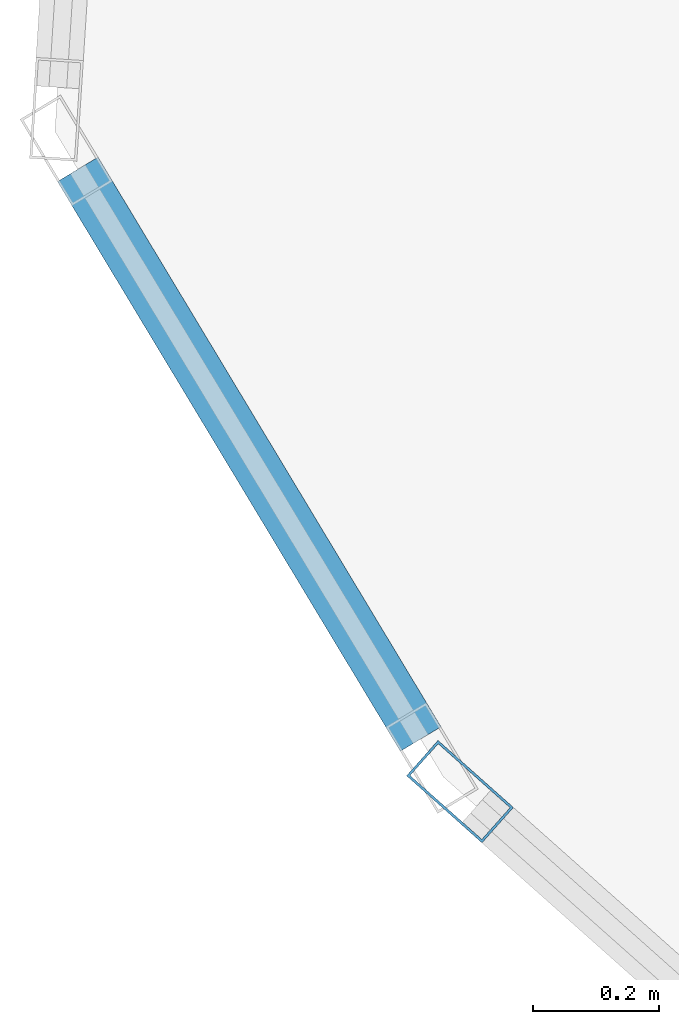
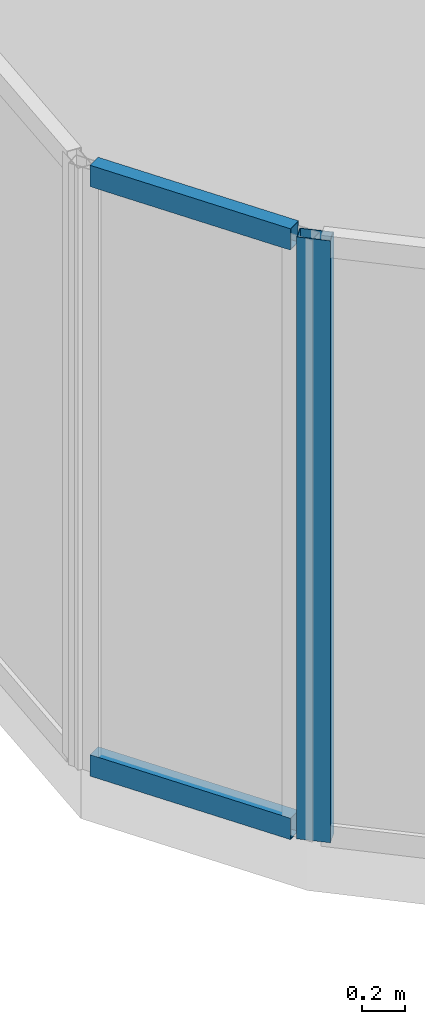
# One storey, part 4 of 27: 3 members, 2 elements without a shape of their own.
"""IFC4 building model written with IfcOpenShell, lengths in metres."""

from ifc_helpers import new_model, si_unit, direction, frame, origin, origin_2d, place, context, subcontext, project, spatial, hollow_rectangle, extrude, material, layer, layer_set, material_profile, profile_set, type_object, element, aggregate, save


model = new_model("IFC4")

# Units and contexts
model_context = context("Model", 3, precision=1e-05, world=origin(), true_north=direction((0.0, 1.0)))
body_context = subcontext(model_context, "Body", "Model", "MODEL_VIEW")
ifc_project = project(units=[si_unit("LENGTHUNIT", "METRE"), si_unit("AREAUNIT", "SQUARE_METRE"), si_unit("VOLUMEUNIT", "CUBIC_METRE"), si_unit("PLANEANGLEUNIT", "RADIAN"), si_unit("MASSUNIT", "GRAM", prefix="KILO")], contexts=[model_context])

# Site, building, storey
site_placement = place(None, origin())
site = spatial("IfcSite", under=ifc_project, at=site_placement, CompositionType="ELEMENT")
building_placement = place(site_placement, origin())
building = spatial("IfcBuilding", under=site, at=building_placement, Name="Keshet Zoharim Tower", CompositionType="ELEMENT")
storey_placement = place(building_placement, frame((0.0, 0.0, 295.39990234375)))
storey = spatial("IfcBuildingStorey", under=building, at=storey_placement, Name="L74", CompositionType="ELEMENT", Elevation=295.39990234375)

# Curtain wall, member
ifc_material = material(Name="Aluminium 6063-T6", Category="aluminium")
ifc_layer = layer(ifc_material, 0.260009765625)
ifc_layer_set = layer_set([ifc_layer], Name="Aluminium 6063-T6")
curtain_wall_type = type_object("IfcCurtainWallType", Name="CW-SYS-06", PredefinedType="NOTDEFINED", material=ifc_layer_set)
curtain_wall_1_placement = place(storey_placement, origin())
curtain_wall_1 = element("IfcCurtainWall", 1, at=curtain_wall_1_placement, inside=storey, type_object=curtain_wall_type, Name="L74 Unitised Curtain Wall 16 Part 3", PredefinedType="NOTDEFINED")
ifc_material_profile_1 = material_profile(ifc_material, hollow_rectangle(XDim=0.074951171875, YDim=0.159912109375, WallThickness=0.00390625, at=origin_2d()), Name="MUL-75x160")
ifc_profile_set_1 = profile_set([ifc_material_profile_1], Name="Aluminium 6063-T6")
member_type_1 = type_object("IfcMemberType", Name="CWM-M15", PredefinedType="MULLION", material=ifc_profile_set_1)
member_1_placement = place(storey_placement, frame((4.061279296875, 21.7568359375, 0.0), z_axis=(0.0, 0.0, 1.0), x_axis=(-0.664359867312, -0.747412848903, 0.0)))
member_1 = element("IfcMember", 2, at=member_1_placement, type_object=member_type_1, Name="CW-06 mullion 2", PredefinedType="MULLION", context=body_context, shape_type="SweptSolid", body=[
    extrude(hollow_rectangle(XDim=0.074951171875, YDim=0.159912109375, WallThickness=0.00390625, at=origin_2d()), origin(), (0.0, 0.0, 1.0), 3.380126953125),
])
aggregate(curtain_wall_1, [member_1])

# Curtain wall, members
curtain_wall_2_placement = place(storey_placement, origin())
curtain_wall_2 = element("IfcCurtainWall", 3, at=curtain_wall_2_placement, inside=storey, type_object=curtain_wall_type, Name="L74 Unitised Curtain Wall 01", PredefinedType="NOTDEFINED")
ifc_material_profile_2 = material_profile(ifc_material, hollow_rectangle(XDim=0.074951171875, YDim=0.1201171875, WallThickness=0.00390625, at=origin_2d()), Name="TRN-75x120")
ifc_profile_set_2 = profile_set([ifc_material_profile_2], Name="Aluminium 6063-T6")
member_type_2 = type_object("IfcMemberType", Name="CWT-T12", PredefinedType="USERDEFINED", material=ifc_profile_set_2)
member_2_placement = place(storey_placement, frame((3.9990234375, 21.840087890625, 0.03515625), z_axis=(-0.515791194107, 0.856714330499, 0.0), x_axis=(-0.856714330499, -0.515791194107, 0.0)))
member_2 = element("IfcMember", 4, at=member_2_placement, type_object=member_type_2, Name="CW-06 transom 1.1", ObjectType="TRANSOM", PredefinedType="USERDEFINED", context=body_context, shape_type="SweptSolid", body=[
    extrude(hollow_rectangle(XDim=0.074951171875, YDim=0.1201171875, WallThickness=0.00390625, at=origin_2d()), origin(), (0.0, 0.0, 1.0), 1.052734375),
])
member_3_placement = place(storey_placement, frame((3.9990234375, 21.840087890625, 3.34521484375), z_axis=(-0.515791194107, 0.856714330499, 0.0), x_axis=(-0.856714330499, -0.515791194107, 0.0)))
member_3 = element("IfcMember", 5, at=member_3_placement, type_object=member_type_2, Name="CW-06 transom 1.2", ObjectType="TRANSOM", PredefinedType="USERDEFINED", context=body_context, shape_type="SweptSolid", body=[
    extrude(hollow_rectangle(XDim=0.074951171875, YDim=0.1201171875, WallThickness=0.00390625, at=origin_2d()), origin(), (0.0, 0.0, 1.0), 1.052734375),
])
aggregate(curtain_wall_2, [member_2, member_3])

save(model, "model.ifc")
